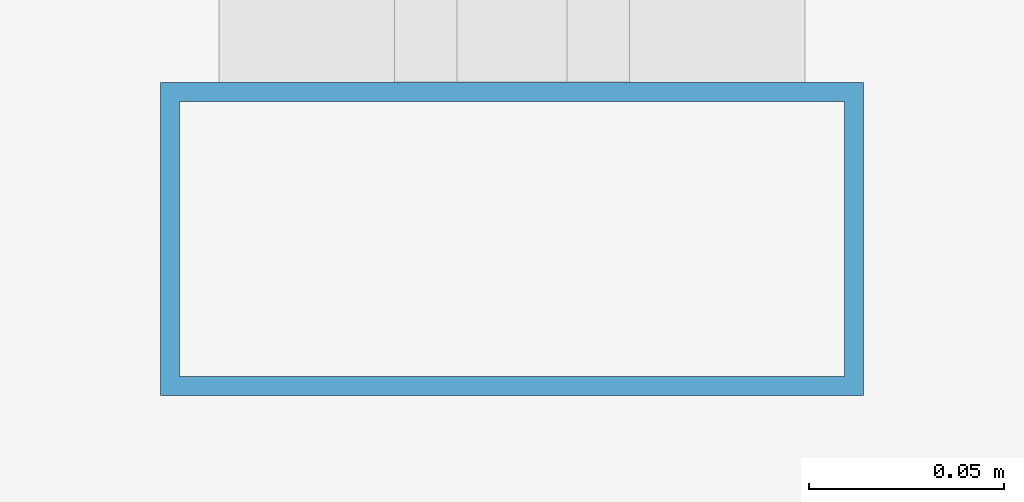
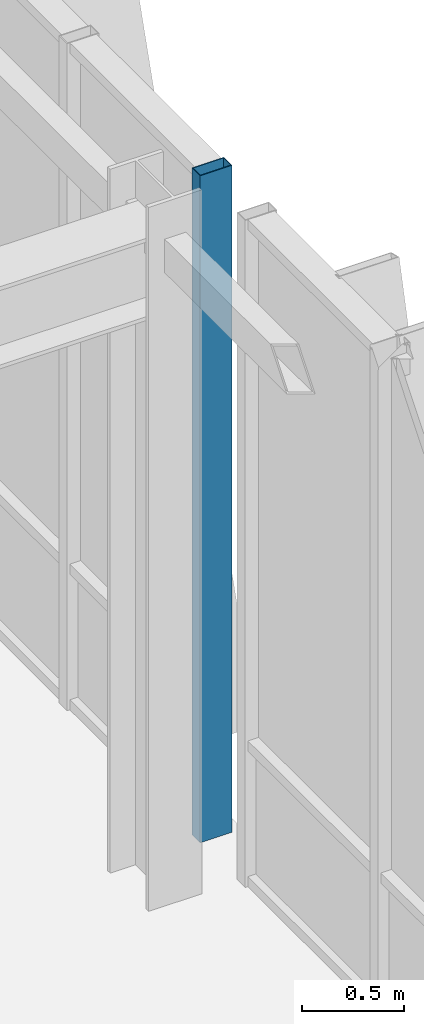
# One storey, part 56 of 123: 1 member, 1 element without a shape of its own.
"""IFC4 building model written with IfcOpenShell, lengths in metres."""

from ifc_helpers import new_model, si_unit, direction, frame, origin, origin_2d, place, context, subcontext, project, spatial, hollow_rectangle, extrude, material, layer, layer_set, material_profile, profile_set, type_object, element, aggregate, save


model = new_model("IFC4")

# Units and contexts
model_context = context("Model", 3, precision=1e-05, world=origin(), true_north=direction((0.0, 1.0)))
body_context = subcontext(model_context, "Body", "Model", "MODEL_VIEW")
ifc_project = project(units=[si_unit("LENGTHUNIT", "METRE"), si_unit("AREAUNIT", "SQUARE_METRE"), si_unit("VOLUMEUNIT", "CUBIC_METRE"), si_unit("PLANEANGLEUNIT", "RADIAN"), si_unit("MASSUNIT", "GRAM", prefix="KILO")], contexts=[model_context])

# Site, building, storey
site_placement = place(None, origin())
site = spatial("IfcSite", under=ifc_project, at=site_placement, CompositionType="ELEMENT")
building_placement = place(site_placement, origin())
building = spatial("IfcBuilding", under=site, at=building_placement, Name="Zayran Congress Hotel", CompositionType="ELEMENT")
storey_placement = place(building_placement, frame((0.0, 0.0, 15.0)))
storey = spatial("IfcBuildingStorey", under=building, at=storey_placement, Name="L03", CompositionType="ELEMENT", Elevation=15.0)

# Curtain wall, member
ifc_material_1 = material(Name="Anodised aluminium and low-E insulated glass", Category="aluminium")
ifc_layer = layer(ifc_material_1, 0.179931640625)
ifc_layer_set = layer_set([ifc_layer], Name="Anodised aluminium and low-E insulated glass")
curtain_wall_type = type_object("IfcCurtainWallType", Name="CW-V1E-L03-CW-41-8040-3980", PredefinedType="USERDEFINED", material=ifc_layer_set)
curtain_wall_placement = place(storey_placement, origin())
curtain_wall = element("IfcCurtainWall", 1, at=curtain_wall_placement, inside=storey, type_object=curtain_wall_type, Name="CW-V1E-L03-4", ObjectType="CURTAIN WALL", PredefinedType="USERDEFINED")
ifc_material_2 = material(Name="Anodised aluminium framing", Category="aluminium")
ifc_material_profile = material_profile(ifc_material_2, hollow_rectangle(XDim=0.080078125, YDim=0.179931640625, WallThickness=0.0048828125, at=origin_2d()), Name="RHS 180x80x5")
ifc_profile_set = profile_set([ifc_material_profile], Name="Anodised aluminium framing")
member_type = type_object("IfcMemberType", Name="TP-CWM-01", PredefinedType="MULLION", material=ifc_profile_set)
member_placement = place(storey_placement, frame((92.25, 101.419921875, 0.0), z_axis=(0.0, 0.0, 1.0), x_axis=(0.0, 1.0, 0.0)))
member = element("IfcMember", 2, at=member_placement, type_object=member_type, Name="CW-V1E-L03-4-M00", PredefinedType="MULLION", context=body_context, shape_type="SweptSolid", body=[
    extrude(hollow_rectangle(XDim=0.080078125, YDim=0.179931640625, WallThickness=0.0048828125, at=origin_2d()), origin(), (0.0, 0.0, 1.0), 3.97998046875),
])
aggregate(curtain_wall, [member])

save(model, "model.ifc")
